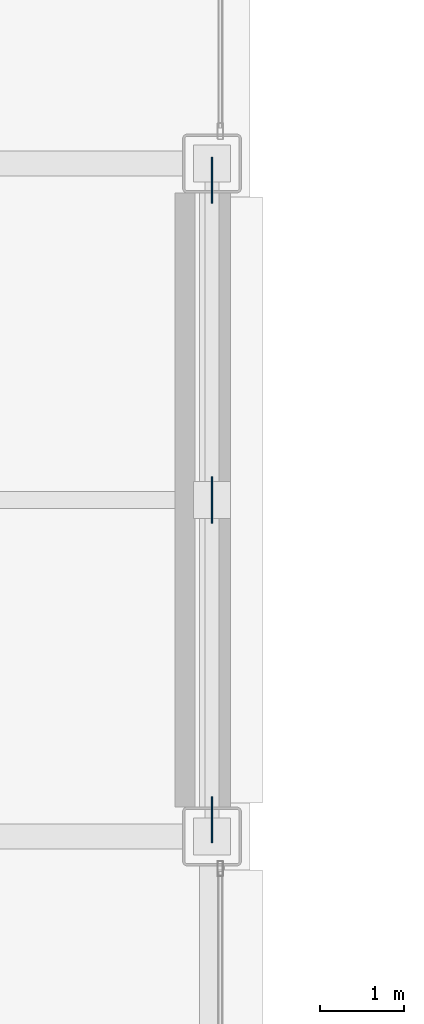
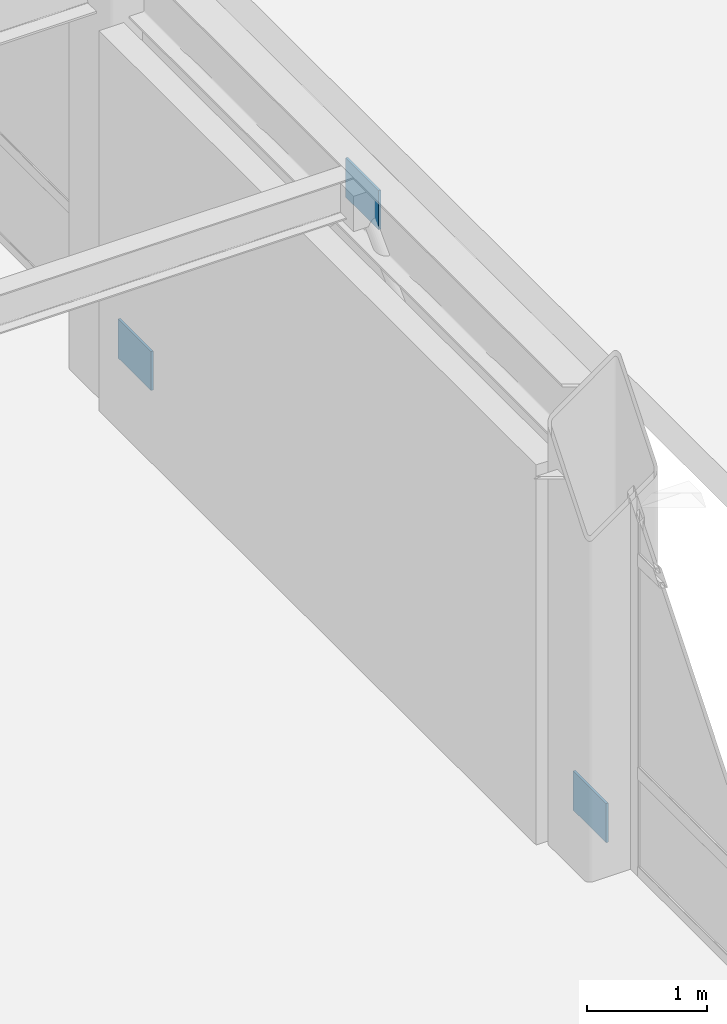
# One storey, part 141 of 172: 3 plates.
"""IFC4 building model written with IfcOpenShell, lengths in metres."""

import ifcopenshell
import ifcopenshell.guid

model = None  # the IFC model being written
_history = None  # IfcOwnerHistory: only IFC2X3 demands one
_inside = {}  # id of a spatial element -> (the spatial element, [elements in it])
_under = {}  # id of a project, library or spatial element -> (it, [spatial elements below it])
_declared = {}  # id of a project -> (the project, [libraries it declares])
_typed = {}  # id of a type object -> (the type object, [elements of that type])
_made_of = {}  # id of a material, layer set ... -> (it, [elements and type objects made of it])


def new_model(schema):
    """Start an empty IFC model of exactly this schema.

    Asked for "IFC4X3", IfcOpenShell would pick the latest addendum, in which some entities
    have other attributes; the version numbers below select the first issue.
    IFC2X3 requires an IfcOwnerHistory on every rooted entity: one is made here for all.
    """
    global model, _history
    if schema == "IFC4X3":
        model = ifcopenshell.file(schema_version=(4, 3, 0, 0))
    else:
        model = ifcopenshell.file(schema=schema)
    _inside.clear()
    _under.clear()
    _declared.clear()
    _typed.clear()
    _made_of.clear()
    _history = None
    if model.schema == "IFC2X3":
        org = make("IfcOrganization", Name="unknown")
        user = make(
            "IfcPersonAndOrganization",
            ThePerson=make("IfcPerson", FamilyName="unknown"),
            TheOrganization=org,
        )
        app = make(
            "IfcApplication",
            ApplicationDeveloper=org,
            Version="unknown",
            ApplicationFullName="unknown",
            ApplicationIdentifier="unknown",
        )
        _history = make(
            "IfcOwnerHistory",
            OwningUser=user,
            OwningApplication=app,
            ChangeAction="ADDED",
            CreationDate=0,
        )
    return model


def make(cls, **values):
    """One entity of the class cls with the attributes given. An attribute that is None is left unset."""
    return model.create_entity(
        cls, **{name: value for name, value in values.items() if value is not None}
    )


def rooted(cls, **values):
    """An entity with a GlobalId (a new one), such as an element, a storey or a relation."""
    return make(cls, GlobalId=ifcopenshell.guid.new(), OwnerHistory=_history, **values)


def si_unit(unit_type, name, prefix=None):
    """IfcSIUnit, for example si_unit("LENGTHUNIT", "METRE", prefix="MILLI")."""
    return make("IfcSIUnit", UnitType=unit_type, Prefix=prefix, Name=name)


def assignment(units):
    """IfcUnitAssignment: the units of a project."""
    return None if units is None else make("IfcUnitAssignment", Units=units)


def point(xyz):
    """IfcCartesianPoint."""
    return None if xyz is None else make("IfcCartesianPoint", Coordinates=xyz)


def direction(xyz):
    """IfcDirection."""
    return None if xyz is None else make("IfcDirection", DirectionRatios=xyz)


def frame(location, z_axis=None, x_axis=None):
    """IfcAxis2Placement3D, a coordinate frame: its origin and axes. An axis left out is left unset."""
    return make(
        "IfcAxis2Placement3D",
        Location=point(location),
        Axis=direction(z_axis),
        RefDirection=direction(x_axis),
    )


def frame_2d(location, x_axis=None):
    """IfcAxis2Placement2D, a coordinate frame in the plane: its origin and x axis."""
    return make(
        "IfcAxis2Placement2D", Location=point(location), RefDirection=direction(x_axis)
    )


def origin():
    """The frame at (0, 0, 0) with its axes left unset."""
    return frame((0.0, 0.0, 0.0))


def origin_2d():
    """The frame at (0, 0) in the plane with its x axis left unset."""
    return frame_2d((0.0, 0.0))


def place(relative_to, where):
    """IfcLocalPlacement: puts the frame where relative to a parent placement (None: the world)."""
    return make(
        "IfcLocalPlacement", PlacementRelTo=relative_to, RelativePlacement=where
    )


def context(
    kind, dimensions, precision=None, world=None, true_north=None, identifier=None
):
    """IfcGeometricRepresentationContext, for example the 3D "Model" context."""
    return make(
        "IfcGeometricRepresentationContext",
        ContextIdentifier=identifier,
        ContextType=kind,
        CoordinateSpaceDimension=dimensions,
        Precision=precision,
        WorldCoordinateSystem=world,
        TrueNorth=true_north,
    )


def subcontext(parent, identifier, kind, view, scale=None):
    """IfcGeometricRepresentationSubContext, for example "Body" below "Model"."""
    return make(
        "IfcGeometricRepresentationSubContext",
        ContextIdentifier=identifier,
        ContextType=kind,
        ParentContext=parent,
        TargetScale=scale,
        TargetView=view,
    )


def project(units=None, contexts=None):
    """IfcProject with its units and contexts."""
    return rooted(
        "IfcProject",
        Name="project",
        RepresentationContexts=contexts,
        UnitsInContext=assignment(units),
    )


def spatial(cls, under=None, at=None, **own):
    """A site, building, storey or space (cls), placed at a placement, below another one or the project."""
    s = rooted(cls, ObjectPlacement=at, **own)
    if under is not None:
        _under.setdefault(under.id(), (under, []))[1].append(s)
    return s


def profile(cls, at=None, kind="AREA", **sizes):
    """A parametric profile (cls). Its sizes go by their IFC names, for example OverallWidth=200.0."""
    return make(cls, ProfileType=kind, Position=at, **sizes)


def rectangle(**sizes):
    """IfcRectangleProfileDef."""
    return profile("IfcRectangleProfileDef", **sizes)


def extrude(swept, where, along, depth):
    """IfcExtrudedAreaSolid: the profile swept, set in the frame where, extruded along a direction by depth."""
    return make(
        "IfcExtrudedAreaSolid",
        SweptArea=swept,
        Position=where,
        ExtrudedDirection=direction(along),
        Depth=depth,
    )


def shape(context_of_items, identifier, shape_type, items):
    """IfcShapeRepresentation: the items that make up one representation, for example the "Body"."""
    return make(
        "IfcShapeRepresentation",
        ContextOfItems=context_of_items,
        RepresentationIdentifier=identifier,
        RepresentationType=shape_type,
        Items=items,
    )


def material(Name=None, Category=None):
    """IfcMaterial."""
    return make("IfcMaterial", Name=Name, Category=Category)


def layer(
    of_material, thickness, ventilated=None, Name=None, Category=None, Priority=None
):
    """IfcMaterialLayer: one layer of a wall or slab, of a material (None: an air gap)."""
    return make(
        "IfcMaterialLayer",
        Material=of_material,
        LayerThickness=thickness,
        IsVentilated=ventilated,
        Name=Name,
        Category=Category,
        Priority=Priority,
    )


def layer_set(layers, Name=None):
    """IfcMaterialLayerSet."""
    return make("IfcMaterialLayerSet", MaterialLayers=layers, LayerSetName=Name)


def made_of(thing, what):
    """Note that an element or type object is made of a material, layer set ...; save() writes the relation."""
    if what is not None:
        _made_of.setdefault(what.id(), (what, []))[1].append(thing)
    return thing


def type_object(cls, material=None, **own):
    """A type object (cls), such as IfcWallType, which elements share."""
    return made_of(rooted(cls, **own), material)


def element(
    cls,
    number,
    at=None,
    inside=None,
    cuts=None,
    type_object=None,
    material=None,
    context=None,
    identifier="Body",
    shape_type=None,
    held_by="IfcProductDefinitionShape",
    body=None,
    shapes=None,
    **own,
):
    """One element of the class cls, such as IfcWall. Its Tag is "e" and its number.

    at: its placement. inside: the storey or other place that contains it. cuts: it is an
    opening in that element (IfcRelVoidsElement). A single representation is given by context,
    identifier, shape_type and body (its items); several are given by shapes. held_by: the class
    of the entity that holds the representations. save() writes the other relations.
    """
    e = rooted(cls, Tag="e%d" % number, ObjectPlacement=at, **own)
    if body is not None:
        shapes = [shape(context, identifier, shape_type, body)]
    if shapes is not None:
        e.Representation = make(held_by, Representations=shapes)
    if inside is not None:
        _inside.setdefault(inside.id(), (inside, []))[1].append(e)
    if cuts is not None:
        rooted(
            "IfcRelVoidsElement", RelatingBuildingElement=cuts, RelatedOpeningElement=e
        )
    if type_object is not None:
        _typed.setdefault(type_object.id(), (type_object, []))[1].append(e)
    return made_of(e, material)


def aggregate(whole, parts):
    """IfcRelAggregates: a whole, such as a stair, and the parts it consists of."""
    return rooted("IfcRelAggregates", RelatingObject=whole, RelatedObjects=parts)


def save(model, path):
    """Write the relations noted so far, then the file.

    IfcRelAggregates (storeys below a building ...), IfcRelContainedInSpatialStructure (elements
    in a storey), IfcRelDefinesByType, IfcRelAssociatesMaterial and IfcRelDeclares: one each for
    every whole, place, type object, material and project.
    """
    for whole, parts in _under.values():
        aggregate(whole, parts)
    for where, things in _inside.values():
        rooted(
            "IfcRelContainedInSpatialStructure",
            RelatedElements=things,
            RelatingStructure=where,
        )
    for kind, things in _typed.values():
        rooted("IfcRelDefinesByType", RelatedObjects=things, RelatingType=kind)
    for what, things in _made_of.values():
        rooted("IfcRelAssociatesMaterial", RelatedObjects=things, RelatingMaterial=what)
    for by, libraries in _declared.values():
        rooted("IfcRelDeclares", RelatingContext=by, RelatedDefinitions=libraries)
    model.write(path)


model = new_model("IFC4")

# Units and contexts
model_context = context("Model", 3, precision=1e-05, world=origin(), true_north=direction((0.0, 1.0)))
body_context = subcontext(model_context, "Body", "Model", "MODEL_VIEW")
ifc_project = project(units=[si_unit("LENGTHUNIT", "METRE"), si_unit("AREAUNIT", "SQUARE_METRE"), si_unit("VOLUMEUNIT", "CUBIC_METRE"), si_unit("PLANEANGLEUNIT", "RADIAN"), si_unit("MASSUNIT", "GRAM", prefix="KILO")], contexts=[model_context])

# Site, building, storey
site_placement = place(None, origin())
site = spatial("IfcSite", under=ifc_project, at=site_placement, CompositionType="ELEMENT")
building_placement = place(site_placement, origin())
building = spatial("IfcBuilding", under=site, at=building_placement, Name="Kazehara Bluff Congress Hotel", CompositionType="ELEMENT")
storey_placement = place(building_placement, frame((0.0, 0.0, 5.39990234375)))
storey = spatial("IfcBuildingStorey", under=building, at=storey_placement, Name="L01", CompositionType="ELEMENT", Elevation=5.39990234375)

# Plates
ifc_material = material(Name="Steel SN490B", Category="steel")
ifc_layer = layer(ifc_material, 0.02197265625)
ifc_layer_set = layer_set([ifc_layer], Name="Steel SN490B")
plate_type = type_object("IfcPlateType", Name="TP-GS-PL2", PredefinedType="USERDEFINED", material=ifc_layer_set)
for number, where, z_axis, x_axis, name in (
    (1, (167.550048828125, 8.199951171875, 0.130126953125), (0.0, 0.0, 1.0), (1.0, 0.0, 0.0), "Chevron foot gusset plate GS-PL2 1"),
    (2, (167.550048828125, 15.800048828125, 0.130126953125), (0.0, 0.0, 1.0), (1.0, 0.0, 0.0), "Chevron foot gusset plate GS-PL2 2"),
    (3, (167.550048828125, 12.0, 4.0751953125), (0.0, 0.0, 1.0), (1.0, 0.0, 0.0), "Chevron gusset plate GS-PL2 3"),
):
    element("IfcPlate", number, at=place(storey_placement, frame(where, z_axis=z_axis, x_axis=x_axis)), inside=storey, type_object=plate_type, Name=name, ObjectType="GUSSET_PLATE", PredefinedType="USERDEFINED", context=body_context, shape_type="SweptSolid", body=[
        extrude(rectangle(XDim=0.02197265625, YDim=0.550048828125, at=origin_2d()), origin(), (0.0, 0.0, 1.0), 0.39990234375),
    ])

save(model, "model.ifc")
